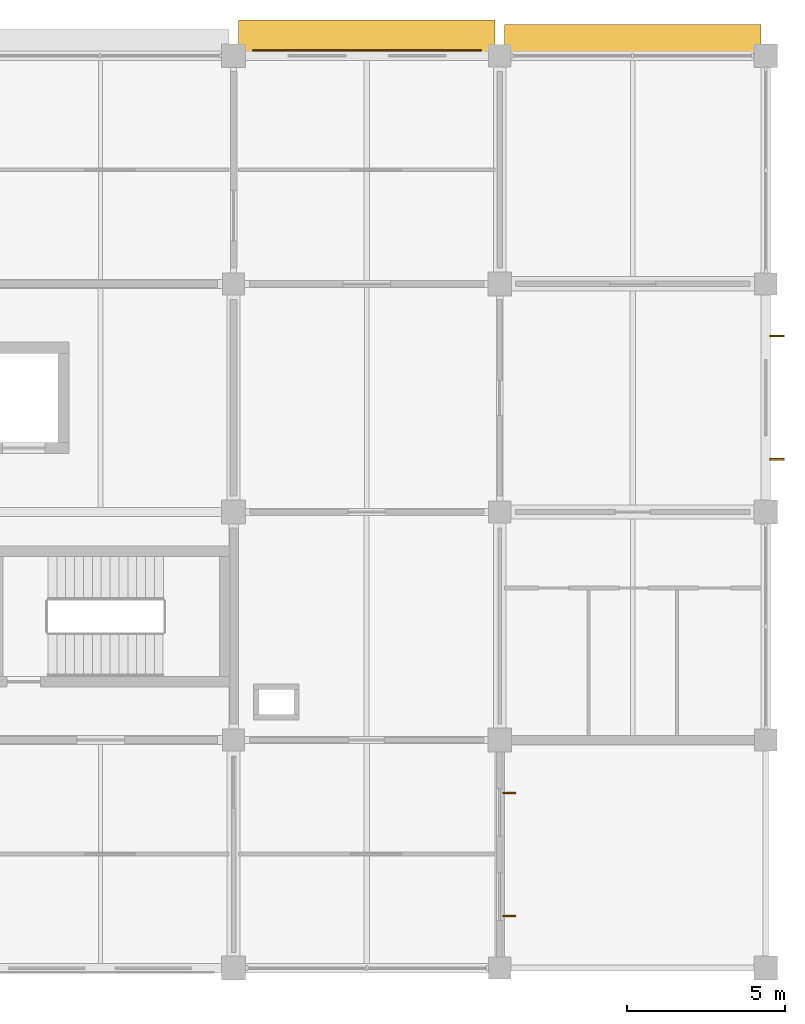
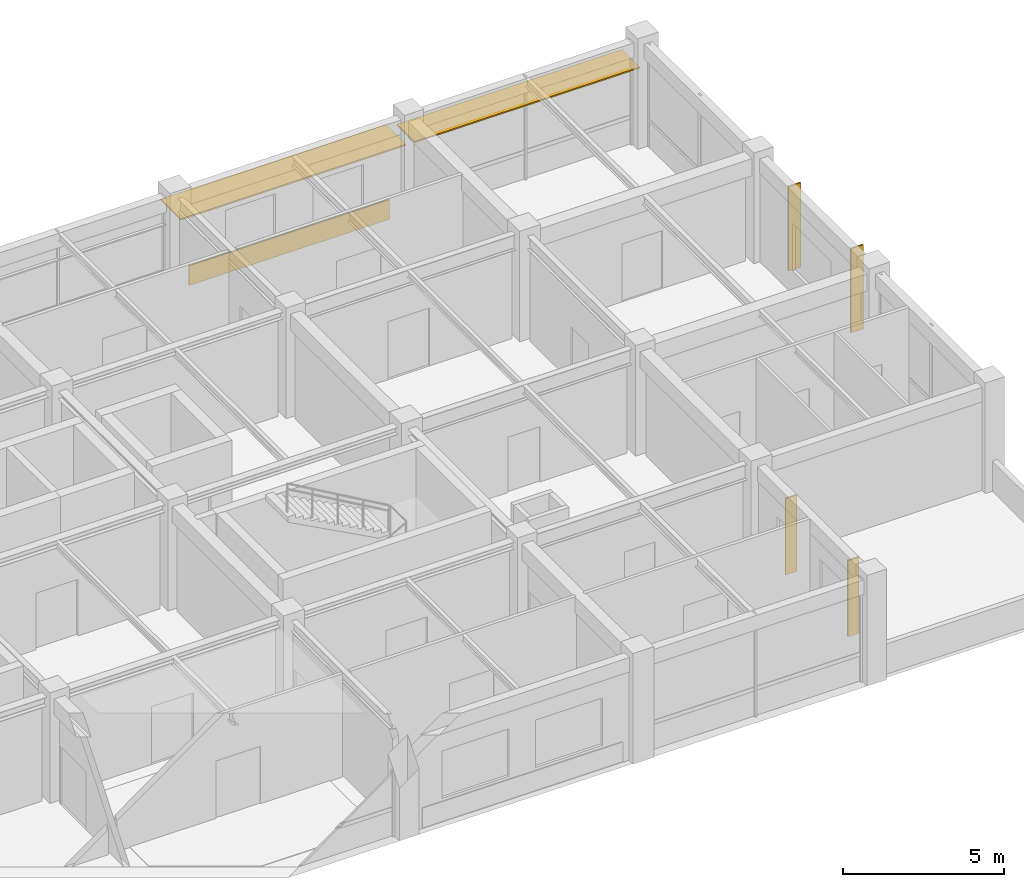
# One storey, part 14 of 14: 6 shading devices, 1 covering.
"""IFC4 building model written with IfcOpenShell, lengths in metres."""

from ifc_helpers import new_model, si_unit, derived_unit, direction, frame, origin, origin_2d, place, context, subcontext, project, spatial, rectangle, extrude, material, layer, layer_set, type_object, element, save


model = new_model("IFC4")

# Units and contexts
model_context = context("Model", 3, precision=1e-05, world=origin(), true_north=direction((0.0, 1.0)))
body_context = subcontext(model_context, "Body", "Model", "MODEL_VIEW")
ifc_project = project(units=[si_unit("LENGTHUNIT", "METRE"), si_unit("AREAUNIT", "SQUARE_METRE"), si_unit("VOLUMEUNIT", "CUBIC_METRE"), si_unit("PLANEANGLEUNIT", "RADIAN"), si_unit("MASSUNIT", "GRAM", prefix="KILO"), derived_unit("THERMALTRANSMITTANCEUNIT", [(si_unit("MASSUNIT", "GRAM", prefix="KILO"), 1), (si_unit("TIMEUNIT", "SECOND"), -3), (si_unit("THERMODYNAMICTEMPERATUREUNIT", "KELVIN"), -1)])], contexts=[model_context])

# Site, building, storey
site_placement = place(None, origin())
site = spatial("IfcSite", under=ifc_project, at=site_placement, CompositionType="ELEMENT")
building_placement = place(site_placement, origin())
building = spatial("IfcBuilding", under=site, at=building_placement, Name="Veldstrom Oceanarium and Marine Research Institute", CompositionType="ELEMENT")
storey_placement = place(building_placement, frame((0.0, 0.0, 35.39990234375)))
storey = spatial("IfcBuildingStorey", under=building, at=storey_placement, Name="L07", CompositionType="ELEMENT", Elevation=35.39990234375)

# Covering
ifc_material_1 = material(Name="Anodised Aluminium Spandrel Rainscreen Cladding", Category="aluminium")
ifc_layer_1 = layer(ifc_material_1, 0.75)
ifc_layer_set_1 = layer_set([ifc_layer_1], Name="ARC-COV-CD1")
covering_type = type_object("IfcCoveringType", Name="ARC-COV-CD1", PredefinedType="CLADDING", material=ifc_layer_set_1)
covering_placement = place(storey_placement, frame((105.012451171875, 72.16845703125, 0.045166015625), z_axis=(0.0, 0.0, 1.0), x_axis=(1.0, 0.0, 0.0)))
element("IfcCovering", 1, at=covering_placement, inside=storey, type_object=covering_type, Name="Spandrel Rainscreen Cladding L07-124", PredefinedType="CLADDING", context=body_context, shape_type="SweptSolid", body=[
    extrude(rectangle(XDim=7.199951171875, YDim=0.034912109375, at=origin_2d()), origin(), (0.0, 0.0, 1.0), 0.75),
])

# Shading devices
ifc_material_2 = material(Name="Precast Terracotta Brise-Soleil Louvre", Category="masonry")
ifc_layer_2 = layer(ifc_material_2, 3.199951171875)
ifc_layer_set_2 = layer_set([ifc_layer_2], Name="ARC-SHD-BS02")
shading_device_type_1 = type_object("IfcShadingDeviceType", Name="ARC-SHD-BS02", PredefinedType="JALOUSIE", material=ifc_layer_set_2)
for number, where, z_axis, x_axis, name in (
    (2, (117.955078125, 59.27001953125, 0.3603515625), (0.0, 0.0, 1.0), (1.0, 0.0, 0.0), "Terracotta Brise-Soleil Louvre L07-125"),
    (3, (117.955078125, 63.155029296875, 0.3603515625), (0.0, 0.0, 1.0), (1.0, 0.0, 0.0), "Terracotta Brise-Soleil Louvre L07-125"),
):
    element("IfcShadingDevice", number, at=place(storey_placement, frame(where, z_axis=z_axis, x_axis=x_axis)), inside=storey, type_object=shading_device_type_1, Name=name, PredefinedType="JALOUSIE", context=body_context, shape_type="SweptSolid", body=[
        extrude(rectangle(XDim=0.449951171875, YDim=0.06005859375, at=origin_2d()), origin(), (0.0, 0.0, 1.0), 3.199951171875),
    ])
ifc_material_3 = material(Name="Precast Terracotta Brise-Soleil Louvre", Category="masonry")
ifc_layer_3 = layer(ifc_material_3, 2.89990234375)
ifc_layer_set_3 = layer_set([ifc_layer_3], Name="ARC-SHD-BS04")
shading_device_type_2 = type_object("IfcShadingDeviceType", Name="ARC-SHD-BS04", PredefinedType="JALOUSIE", material=ifc_layer_set_3)
for number, where, z_axis, x_axis, name in (
    (4, (109.50244140625, 44.844970703125, 0.51025390625), (0.0, 0.0, 1.0), (1.0, 0.0, 0.0), "Terracotta Brise-Soleil Louvre L07-123"),
    (5, (109.50244140625, 48.72998046875, 0.51025390625), (0.0, 0.0, 1.0), (1.0, 0.0, 0.0), "Terracotta Brise-Soleil Louvre L07-123"),
):
    element("IfcShadingDevice", number, at=place(storey_placement, frame(where, z_axis=z_axis, x_axis=x_axis)), inside=storey, type_object=shading_device_type_2, Name=name, PredefinedType="JALOUSIE", context=body_context, shape_type="SweptSolid", body=[
        extrude(rectangle(XDim=0.39990234375, YDim=0.054931640625, at=origin_2d()), origin(), (0.0, 0.0, 1.0), 2.89990234375),
    ])
ifc_material_4 = material(Name="Perforated Anodised Aluminium Louvre", Category="aluminium")
ifc_layer_4 = layer(ifc_material_4, 0.054931640625)
ifc_layer_set_4 = layer_set([ifc_layer_4], Name="ARC-SHD-SH01")
shading_device_type_3 = type_object("IfcShadingDeviceType", Name="ARC-SHD-SH01", PredefinedType="AWNING", material=ifc_layer_set_4)
shading_device_1_placement = place(storey_placement, frame((105.0, 72.5048828125, 2.85009765625), z_axis=(0.0, 0.0, 1.0), x_axis=(1.0, 0.0, 0.0)))
element("IfcShadingDevice", 6, at=shading_device_1_placement, inside=storey, type_object=shading_device_type_3, Name="North Solar Canopy Louvre L07-13", PredefinedType="AWNING", context=body_context, shape_type="SweptSolid", body=[
    extrude(rectangle(XDim=8.10009765625, YDim=1.25, at=origin_2d()), origin(), (0.0, 0.0, 1.0), 0.054931640625),
])
ifc_material_5 = material(Name="Perforated Anodised Aluminium Louvre", Category="aluminium")
ifc_layer_5 = layer(ifc_material_5, 0.050048828125)
ifc_layer_set_5 = layer_set([ifc_layer_5], Name="ARC-SHD-SH02")
shading_device_type_4 = type_object("IfcShadingDeviceType", Name="ARC-SHD-SH02", PredefinedType="AWNING", material=ifc_layer_set_5)
shading_device_2_placement = place(storey_placement, frame((113.39990234375, 72.429931640625, 2.85009765625), z_axis=(0.0, 0.0, 1.0), x_axis=(1.0, 0.0, 0.0)))
element("IfcShadingDevice", 7, at=shading_device_2_placement, inside=storey, type_object=shading_device_type_4, Name="North Solar Canopy Louvre L07-14", PredefinedType="AWNING", context=body_context, shape_type="SweptSolid", body=[
    extrude(rectangle(XDim=8.10009765625, YDim=1.10009765625, at=origin_2d()), origin(), (0.0, 0.0, 1.0), 0.050048828125),
])

save(model, "model.ifc")
